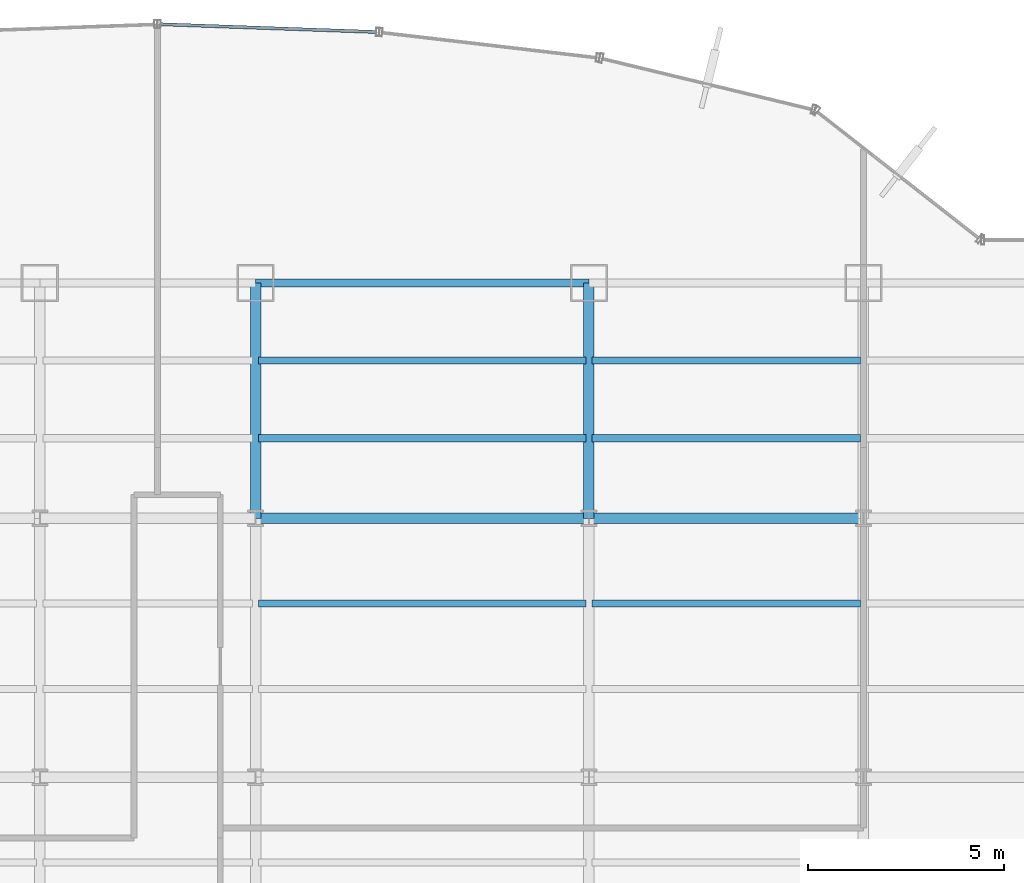
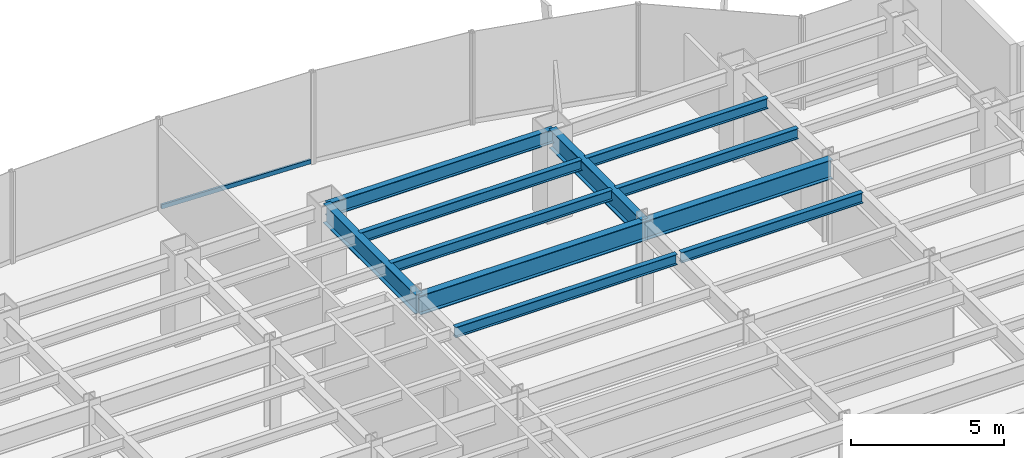
# One storey, part 13 of 22: 11 beams, 1 member, 1 element without a shape of its own.
"""IFC4 building model written with IfcOpenShell, lengths in metres."""

from ifc_helpers import new_model, si_unit, derived_unit, direction, frame, origin, origin_2d, place, context, subcontext, project, spatial, hollow_rectangle, i_section, extrude, source, transform, mapped, material, material_profile, profile_set, type_object, element, aggregate, save


model = new_model("IFC4")

# Units and contexts
model_context = context("Model", 3, precision=1e-05, world=origin(), true_north=direction((0.0, 1.0)))
body_context = subcontext(model_context, "Body", "Model", "MODEL_VIEW")
ifc_project = project(units=[si_unit("LENGTHUNIT", "METRE"), si_unit("AREAUNIT", "SQUARE_METRE"), si_unit("VOLUMEUNIT", "CUBIC_METRE"), si_unit("PLANEANGLEUNIT", "RADIAN"), si_unit("MASSUNIT", "GRAM", prefix="KILO"), derived_unit("THERMALTRANSMITTANCEUNIT", [(si_unit("POWERUNIT", "WATT"), 1), (si_unit("LENGTHUNIT", "METRE"), -2), (si_unit("THERMODYNAMICTEMPERATUREUNIT", "KELVIN"), -1)])], contexts=[model_context])

# Site, building, storey
site_placement = place(None, origin())
site = spatial("IfcSite", under=ifc_project, at=site_placement, CompositionType="ELEMENT")
building_placement = place(site_placement, origin())
building = spatial("IfcBuilding", under=site, at=building_placement, Name="Skarnbrae Concourse Arena and Tower", CompositionType="ELEMENT")
storey_placement = place(building_placement, frame((0.0, 0.0, 61.699951171875)))
storey = spatial("IfcBuildingStorey", under=building, at=storey_placement, Name="L14", CompositionType="ELEMENT", Elevation=61.699951171875)

# Beams
ifc_material_1 = material(Name="Steel CSA G40.21 350W", Category="steel")
ifc_material_profile_1 = material_profile(ifc_material_1, i_section(OverallWidth=0.26806640625, OverallDepth=0.77001953125, WebThickness=0.015625, FlangeThickness=0.025390625, at=origin_2d()), Name="W760X196")
ifc_profile_set_1 = profile_set([ifc_material_profile_1], Name="Steel CSA G40.21 350W")
beam_type_1 = type_object("IfcBeamType", Name="BM-GIRD-W760X196", PredefinedType="BEAM", material=ifc_profile_set_1)
shared_shape_1 = source(origin(), body_context, "Body", "SweptSolid", [
    extrude(i_section(OverallWidth=0.26806640625, OverallDepth=0.77001953125, WebThickness=0.015625, FlangeThickness=0.025390625, at=origin_2d()), origin(), (0.0, 0.0, 1.0), 7.0),
])
beam_1_placement = place(storey_placement, frame((42.0, 34.39990234375, 3.01513671875), z_axis=(1.0, 0.0, 0.0), x_axis=(0.0, 1.0, 0.0)))
element("IfcBeam", 1, at=beam_1_placement, inside=storey, type_object=beam_type_1, Name="L14 Primary E-W girder Y34.4-7", PredefinedType="BEAM", context=body_context, shape_type="MappedRepresentation", body=[
    mapped(shared_shape_1, transform((0.0, 0.0, 0.0))),
])
shared_shape_2 = source(origin(), body_context, "Body", "SweptSolid", [
    extrude(i_section(OverallWidth=0.26806640625, OverallDepth=0.77001953125, WebThickness=0.015625, FlangeThickness=0.025390625, at=origin_2d()), origin(), (0.0, 0.0, 1.0), 8.5),
])
beam_2_placement = place(storey_placement, frame((33.5, 34.39990234375, 3.01513671875), z_axis=(1.0, 0.0, 0.0), x_axis=(0.0, 1.0, 0.0)))
element("IfcBeam", 2, at=beam_2_placement, inside=storey, type_object=beam_type_1, Name="L14 Primary E-W girder Y34.4-6", PredefinedType="BEAM", context=body_context, shape_type="MappedRepresentation", body=[
    mapped(shared_shape_2, transform((0.0, 0.0, 0.0))),
])
shared_shape_3 = source(origin(), body_context, "Body", "SweptSolid", [
    extrude(i_section(OverallWidth=0.26806640625, OverallDepth=0.77001953125, WebThickness=0.015625, FlangeThickness=0.025390625, at=origin_2d()), origin(), (0.0, 0.0, 1.0), 6.0),
])
for number, where, z_axis, x_axis, name in (
    (3, (33.5, 34.39990234375, 3.01513671875), (0.0, 1.0, 0.0), (-1.0, 0.0, 0.0), "L14 Primary N-S girder X33.5-4"),
    (4, (42.0, 34.39990234375, 3.01513671875), (0.0, 1.0, 0.0), (-1.0, 0.0, 0.0), "L14 Primary N-S girder X42.0-5"),
):
    element("IfcBeam", number, at=place(storey_placement, frame(where, z_axis=z_axis, x_axis=x_axis)), inside=storey, type_object=beam_type_1, Name=name, PredefinedType="BEAM", context=body_context, shape_type="MappedRepresentation", body=[
        mapped(shared_shape_3, transform((0.0, 0.0, 0.0))),
    ])
ifc_material_profile_2 = material_profile(ifc_material_1, i_section(OverallWidth=0.214111328125, OverallDepth=0.549072265625, WebThickness=0.0146484375, FlangeThickness=0.023681640625, at=origin_2d()), Name="W530X138")
ifc_profile_set_2 = profile_set([ifc_material_profile_2], Name="Steel CSA G40.21 350W")
beam_type_2 = type_object("IfcBeamType", Name="BM-SPAN-W530X138", PredefinedType="SPANDREL", material=ifc_profile_set_2)
shared_shape_4 = source(origin(), body_context, "Body", "SweptSolid", [
    extrude(i_section(OverallWidth=0.214111328125, OverallDepth=0.549072265625, WebThickness=0.0146484375, FlangeThickness=0.023681640625, at=origin_2d()), origin(), (0.0, 0.0, 1.0), 8.5),
])
beam_3_placement = place(storey_placement, frame((33.5, 40.39990234375, 3.12548828125), z_axis=(1.0, 0.0, 0.0), x_axis=(0.0, 1.0, 0.0)))
element("IfcBeam", 5, at=beam_3_placement, inside=storey, type_object=beam_type_2, Name="L14 Perimeter spandrel Y40.4-5", PredefinedType="SPANDREL", context=body_context, shape_type="MappedRepresentation", body=[
    mapped(shared_shape_4, transform((0.0, 0.0, 0.0))),
])
ifc_material_profile_3 = material_profile(ifc_material_1, i_section(OverallWidth=0.180908203125, OverallDepth=0.4169921875, WebThickness=0.010986328125, FlangeThickness=0.018310546875, at=origin_2d()), Name="W410X85")
ifc_profile_set_3 = profile_set([ifc_material_profile_3], Name="Steel CSA G40.21 350W")
beam_type_3 = type_object("IfcBeamType", Name="BM-JOIST-W410X85", PredefinedType="JOIST", material=ifc_profile_set_3)
shared_shape_5 = source(origin(), body_context, "Body", "SweptSolid", [
    extrude(i_section(OverallWidth=0.180908203125, OverallDepth=0.4169921875, WebThickness=0.010986328125, FlangeThickness=0.018310546875, at=origin_2d()), origin(), (0.0, 0.0, 1.0), 8.33984375),
])
for number, where, z_axis, x_axis, name in (
    (6, (33.580078125, 32.221923828125, 3.191650390625), (1.0, 0.0, 0.0), (0.0, 1.0, 0.0), "L14 Secondary floor joist 3.2.6"),
    (7, (33.580078125, 36.43994140625, 3.191650390625), (1.0, 0.0, 0.0), (0.0, 1.0, 0.0), "L14 Secondary floor joist 4.1.5"),
    (8, (33.580078125, 38.419921875, 3.191650390625), (1.0, 0.0, 0.0), (0.0, 1.0, 0.0), "L14 Secondary floor joist 4.2.5"),
):
    element("IfcBeam", number, at=place(storey_placement, frame(where, z_axis=z_axis, x_axis=x_axis)), inside=storey, type_object=beam_type_3, Name=name, PredefinedType="JOIST", context=body_context, shape_type="MappedRepresentation", body=[
        mapped(shared_shape_5, transform((0.0, 0.0, 0.0))),
    ])
shared_shape_6 = source(origin(), body_context, "Body", "SweptSolid", [
    extrude(i_section(OverallWidth=0.180908203125, OverallDepth=0.4169921875, WebThickness=0.010986328125, FlangeThickness=0.018310546875, at=origin_2d()), origin(), (0.0, 0.0, 1.0), 6.83984375),
])
for number, where, z_axis, x_axis, name in (
    (9, (42.080078125, 32.221923828125, 3.191650390625), (1.0, 0.0, 0.0), (0.0, 1.0, 0.0), "L14 Secondary floor joist 3.2.7"),
    (10, (42.080078125, 36.43994140625, 3.191650390625), (1.0, 0.0, 0.0), (0.0, 1.0, 0.0), "L14 Secondary floor joist 4.1.6"),
    (11, (42.080078125, 38.419921875, 3.191650390625), (1.0, 0.0, 0.0), (0.0, 1.0, 0.0), "L14 Secondary floor joist 4.2.6"),
):
    element("IfcBeam", number, at=place(storey_placement, frame(where, z_axis=z_axis, x_axis=x_axis)), inside=storey, type_object=beam_type_3, Name=name, PredefinedType="JOIST", context=body_context, shape_type="MappedRepresentation", body=[
        mapped(shared_shape_6, transform((0.0, 0.0, 0.0))),
    ])

# Curtain wall, member
ifc_material_2 = material(Name="Bronze anodised aluminium 6063-T6", Category="aluminium")
curtain_wall_type = type_object("IfcCurtainWallType", Name="CW-SYS-03-PORTAL", PredefinedType="USERDEFINED", material=ifc_material_2)
curtain_wall_placement = place(storey_placement, origin())
curtain_wall = element("IfcCurtainWall", 12, at=curtain_wall_placement, inside=storey, type_object=curtain_wall_type, Name="L14 Unitised curtain wall CW-L14-E11", ObjectType="UNITISED CURTAIN WALL", PredefinedType="USERDEFINED")
ifc_material_profile_4 = material_profile(ifc_material_2, hollow_rectangle(XDim=0.080078125, YDim=0.169921875, WallThickness=0.00439453125, at=origin_2d()), Name="ALU-TRAN-80X170")
ifc_profile_set_4 = profile_set([ifc_material_profile_4], Name="Bronze anodised aluminium 6063-T6")
member_type = type_object("IfcMemberType", Name="CWT-CW-03", PredefinedType="USERDEFINED", material=ifc_profile_set_4)
shared_shape_7 = source(origin(), body_context, "Body", "SweptSolid", [
    extrude(hollow_rectangle(XDim=0.080078125, YDim=0.169921875, WallThickness=0.00439453125, at=origin_2d()), origin(), (0.0, 0.0, 1.0), 5.497802734375),
])
member_placement = place(storey_placement, frame((36.573974609375, 46.7998046875, 0.0849609375), z_axis=(-0.999356047798, 0.03588160712, 0.0), x_axis=(-0.03588160712, -0.999356047798, 0.0)))
member = element("IfcMember", 13, at=member_placement, type_object=member_type, Name="CW-L14-E11 Transom 1", ObjectType="TRANSOM", PredefinedType="USERDEFINED", context=body_context, shape_type="MappedRepresentation", body=[
    mapped(shared_shape_7, transform((0.0, 0.0, 0.0))),
])
aggregate(curtain_wall, [member])

save(model, "model.ifc")
